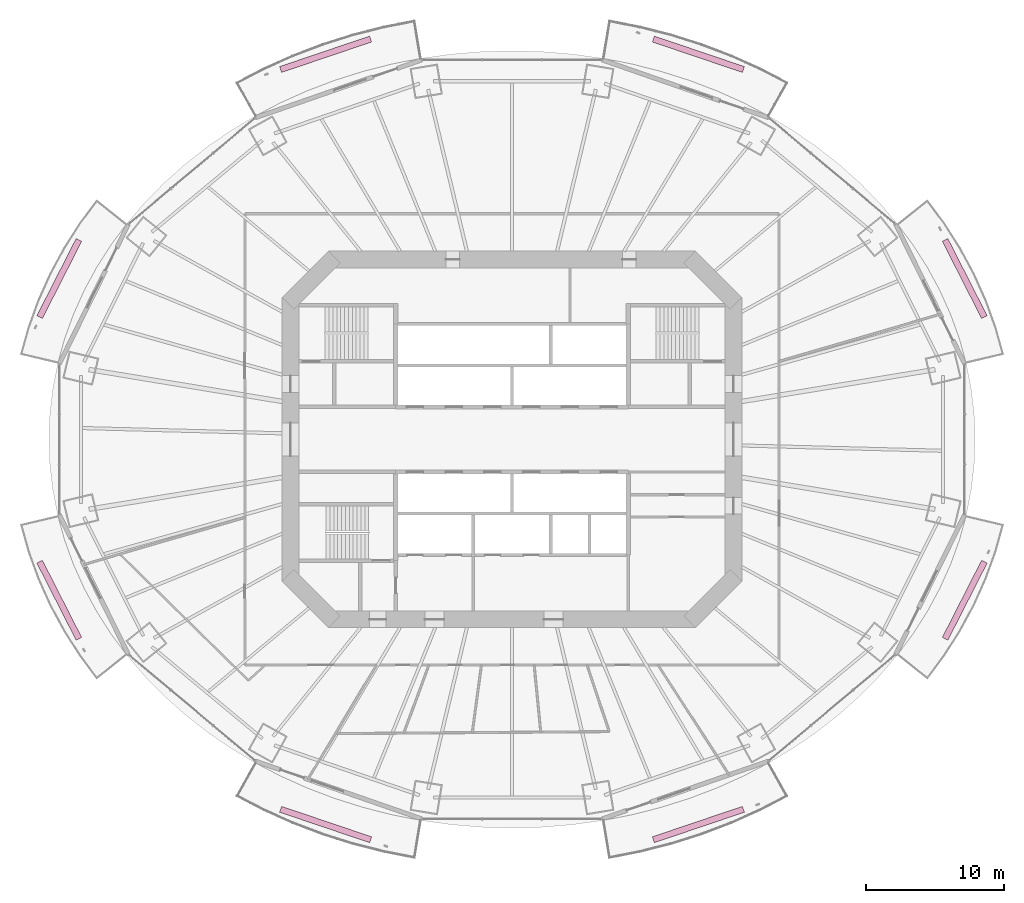
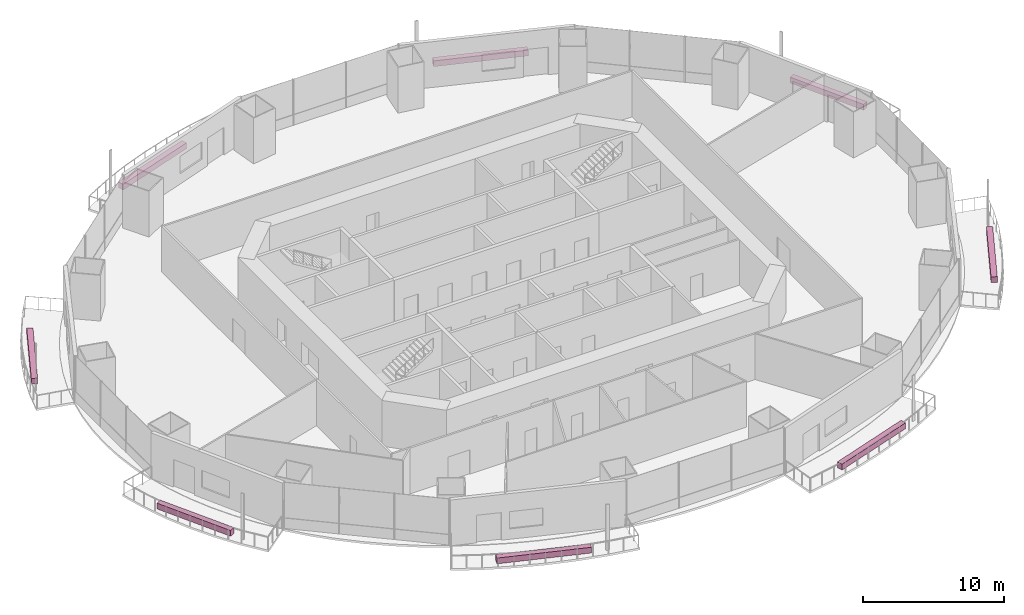
# One storey, part 20 of 20: 8 furnishings.
"""IFC4 building model written with IfcOpenShell, lengths in metres."""

from ifc_helpers import new_model, si_unit, direction, frame, origin, origin_2d, place, context, subcontext, project, spatial, rectangle, extrude, material, type_object, element, save


model = new_model("IFC4")

# Units and contexts
model_context = context("Model", 3, precision=1e-05, world=origin(), true_north=direction((0.0, 1.0)))
body_context = subcontext(model_context, "Body", "Model", "MODEL_VIEW")
ifc_project = project(units=[si_unit("LENGTHUNIT", "METRE"), si_unit("AREAUNIT", "SQUARE_METRE"), si_unit("VOLUMEUNIT", "CUBIC_METRE"), si_unit("PLANEANGLEUNIT", "RADIAN"), si_unit("MASSUNIT", "GRAM", prefix="KILO")], contexts=[model_context])

# Site, building, storey
site_placement = place(None, origin())
site = spatial("IfcSite", under=ifc_project, at=site_placement, CompositionType="ELEMENT")
building_placement = place(site_placement, origin())
building = spatial("IfcBuilding", under=site, at=building_placement, Name="Marenthal Gate Tower", CompositionType="ELEMENT")
storey_placement = place(building_placement, frame((0.0, 0.0, 132.60009765625)))
storey = spatial("IfcBuildingStorey", under=building, at=storey_placement, Name="L28", CompositionType="ELEMENT", Elevation=132.60009765625)

# Furnishings
ifc_material = material(Name="Planting soil and foliage", Category="planting")
furnishing_element_type = type_object("IfcFurnishingElementType", Name="Balcony PLANTER trough", material=ifc_material)
furnishing_1_placement = place(storey_placement, frame((32.708251953125, 11.61865234375, -0.0400390625), z_axis=(0.0, 0.0, 1.0), x_axis=(-0.453791430761, 0.891107926891, 0.0)))
element("IfcFurnishingElement", 1, at=furnishing_1_placement, inside=storey, type_object=furnishing_element_type, Name="Balcony PLANTER L28 bay 1", ObjectType="PLANTER", context=body_context, shape_type="SweptSolid", body=[
    extrude(rectangle(XDim=6.254150390625, YDim=0.449951171875, at=origin_2d()), origin(), (0.0, 0.0, 1.0), 0.5),
])
for number, where, z_axis, x_axis, name in (
    (2, (13.466796875, 27.822021484375, -0.0400390625), (0.0, 0.0, 1.0), (-0.947337727777, 0.320236208962, 0.0), "Balcony PLANTER L28 bay 3"),
    (3, (-13.466796875, 27.822021484375, -0.0400390625), (0.0, 0.0, 1.0), (-0.947337727777, -0.320236208962, 0.0), "Balcony PLANTER L28 bay 5"),
):
    element("IfcFurnishingElement", number, at=place(storey_placement, frame(where, z_axis=z_axis, x_axis=x_axis)), inside=storey, type_object=furnishing_element_type, Name=name, ObjectType="PLANTER", context=body_context, shape_type="SweptSolid", body=[
        extrude(rectangle(XDim=6.866455078125, YDim=0.449951171875, at=origin_2d()), origin(), (0.0, 0.0, 1.0), 0.5),
    ])
for number, where, z_axis, x_axis, name in (
    (4, (-32.708251953125, 11.61865234375, -0.0400390625), (0.0, 0.0, 1.0), (-0.453791430761, -0.891107926891, 0.0), "Balcony PLANTER L28 bay 7"),
    (5, (-32.708251953125, -11.61865234375, -0.0400390625), (0.0, 0.0, 1.0), (0.453791430761, -0.891107926891, 0.0), "Balcony PLANTER L28 bay 9"),
):
    element("IfcFurnishingElement", number, at=place(storey_placement, frame(where, z_axis=z_axis, x_axis=x_axis)), inside=storey, type_object=furnishing_element_type, Name=name, ObjectType="PLANTER", context=body_context, shape_type="SweptSolid", body=[
        extrude(rectangle(XDim=6.254150390625, YDim=0.449951171875, at=origin_2d()), origin(), (0.0, 0.0, 1.0), 0.5),
    ])
for number, where, z_axis, x_axis, name in (
    (6, (-13.466796875, -27.822021484375, -0.0400390625), (0.0, 0.0, 1.0), (0.947337727777, -0.320236208962, 0.0), "Balcony PLANTER L28 bay 11"),
    (7, (13.466796875, -27.822021484375, -0.0400390625), (0.0, 0.0, 1.0), (0.947337727777, 0.320236208962, 0.0), "Balcony PLANTER L28 bay 13"),
):
    element("IfcFurnishingElement", number, at=place(storey_placement, frame(where, z_axis=z_axis, x_axis=x_axis)), inside=storey, type_object=furnishing_element_type, Name=name, ObjectType="PLANTER", context=body_context, shape_type="SweptSolid", body=[
        extrude(rectangle(XDim=6.866455078125, YDim=0.449951171875, at=origin_2d()), origin(), (0.0, 0.0, 1.0), 0.5),
    ])
furnishing_2_placement = place(storey_placement, frame((32.708251953125, -11.61865234375, -0.0400390625), z_axis=(0.0, 0.0, 1.0), x_axis=(0.453791430761, 0.891107926891, 0.0)))
element("IfcFurnishingElement", 8, at=furnishing_2_placement, inside=storey, type_object=furnishing_element_type, Name="Balcony PLANTER L28 bay 15", ObjectType="PLANTER", context=body_context, shape_type="SweptSolid", body=[
    extrude(rectangle(XDim=6.254150390625, YDim=0.449951171875, at=origin_2d()), origin(), (0.0, 0.0, 1.0), 0.5),
])

save(model, "model.ifc")
